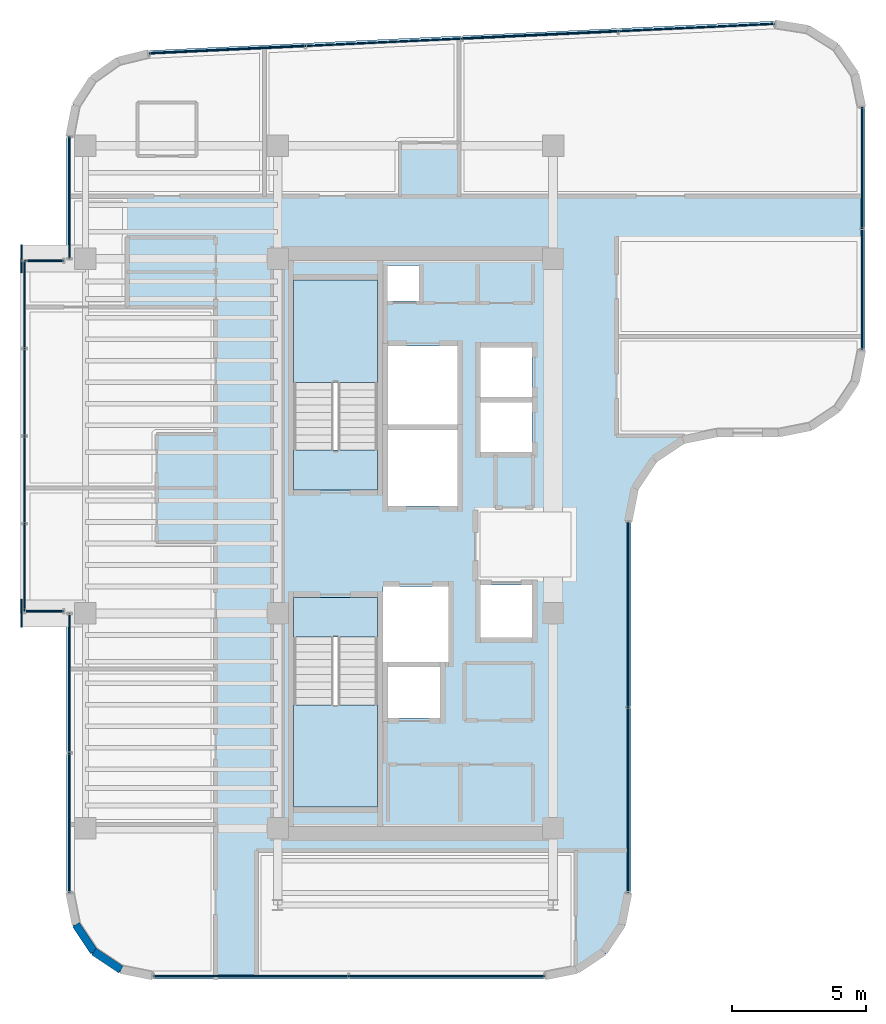
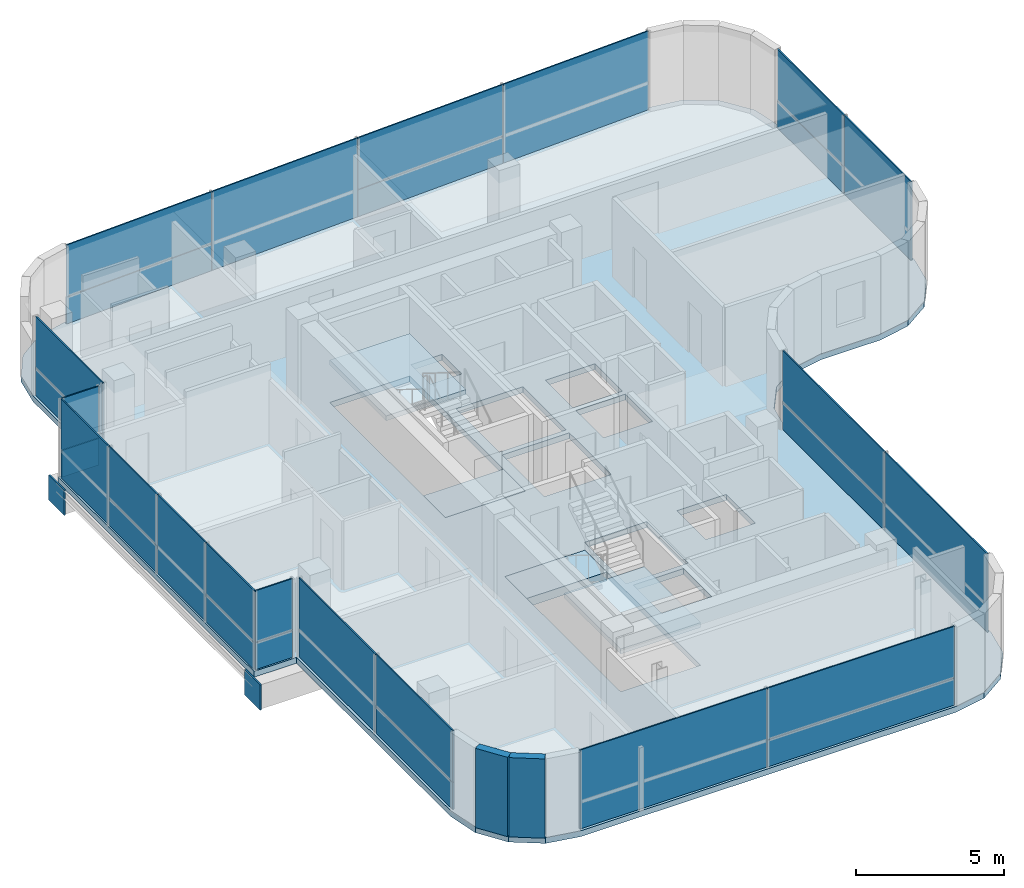
# One storey, part 13 of 20: 32 plates, 5 slabs, 2 walls, 11 elements without a shape of their own.
"""IFC4 building model written with IfcOpenShell, lengths in metres."""

from ifc_helpers import new_model, si_unit, direction, frame, frame_2d, origin, origin_2d, place, context, subcontext, project, spatial, polyline, rectangle, outline, extrude, source, transform, mapped, material, layer, layer_set, type_object, element, aggregate, save


model = new_model("IFC4")

# Units and contexts
model_context = context("Model", 3, precision=1e-05, world=origin(), true_north=direction((0.0, 1.0)))
body_context = subcontext(model_context, "Body", "Model", "MODEL_VIEW")
ifc_project = project(units=[si_unit("LENGTHUNIT", "METRE"), si_unit("AREAUNIT", "SQUARE_METRE"), si_unit("VOLUMEUNIT", "CUBIC_METRE"), si_unit("PLANEANGLEUNIT", "RADIAN"), si_unit("MASSUNIT", "GRAM", prefix="KILO")], contexts=[model_context])

# Site, building, storey
site_placement = place(None, origin())
site = spatial("IfcSite", under=ifc_project, at=site_placement, CompositionType="ELEMENT")
building_placement = place(site_placement, origin())
building = spatial("IfcBuilding", under=site, at=building_placement, Name="Valdorenza Pilgrim Sanctuary Tower", CompositionType="ELEMENT")
storey_placement = place(building_placement, frame((0.0, 0.0, 280.0)))
storey = spatial("IfcBuildingStorey", under=building, at=storey_placement, Name="L73", CompositionType="ELEMENT", Elevation=280.0)

# Slab
ifc_material_1 = material(Name="Concrete C40/50", Category="concrete")
ifc_layer_1 = layer(ifc_material_1, 0.239990234375, Name="Concrete C40/50")
ifc_layer_set_1 = layer_set([ifc_layer_1], Name="Concrete C40/50")
slab_type_1 = type_object("IfcSlabType", Name="SLAB-FLR-220", PredefinedType="FLOOR", material=ifc_layer_set_1)
slab_1_placement = place(storey_placement, frame((0.0, 0.0, -0.239990234375)))
element("IfcSlab", 1, at=slab_1_placement, inside=storey, type_object=slab_type_1, Name="L73 Structural Floor Slab 1", PredefinedType="FLOOR", context=body_context, shape_type="SweptSolid", body=[
    extrude(outline(polyline([(-30.2705078125, 16.3369140625), (-29.615478515625, 17.356201171875), (-28.628173828125, 18.05859375), (-27.45068359375, 18.34375), (-4.150634765625, 19.442138671875), (-2.880615234375, 19.243408203125), (-1.791259765625, 18.56103515625), (-1.05810546875, 17.5048828125), (-0.800048828125, 16.24560546875), (-0.800048828125, 7.199951171875), (-1.043701171875, 5.975341796875), (-1.7373046875, 4.937255859375), (-2.775390625, 4.24365234375), (-4.0, 4.0), (-6.300048828125, 4.0), (-7.524658203125, 3.75634765625), (-8.562744140625, 3.062744140625), (-9.25634765625, 2.024658203125), (-9.5, 0.800048828125), (-9.5, -13.0), (-9.74365234375, -14.224609375), (-10.437255859375, -15.2626953125), (-11.475341796875, -15.956298828125), (-12.699951171875, -16.199951171875), (-27.300048828125, -16.199951171875), (-28.524658203125, -15.956298828125), (-29.562744140625, -15.2626953125), (-30.25634765625, -14.224609375), (-30.5, -13.0), (-30.5, -2.60009765625), (-32.14990234375, -2.60009765625), (-32.14990234375, 10.60009765625), (-30.5, 10.60009765625), (-30.5, 15.147216796875), (-30.2705078125, 16.3369140625)]), holes=[polyline([(-22.050048828125, -9.800048828125), (-18.93994140625, -9.800048828125), (-18.93994140625, -3.485107421875), (-18.93994140625, -2.0), (-22.050048828125, -2.0), (-22.050048828125, -3.485107421875), (-22.050048828125, -9.800048828125)]), polyline([(-16.60009765625, -6.5), (-16.60009765625, -4.60009765625), (-18.550048828125, -4.60009765625), (-18.550048828125, -6.5), (-16.60009765625, -6.5)]), polyline([(-22.050048828125, 2.0), (-18.93994140625, 2.0), (-18.93994140625, 3.485107421875), (-18.93994140625, 9.800048828125), (-22.050048828125, 9.800048828125), (-22.050048828125, 3.485107421875), (-22.050048828125, 2.0)]), polyline([(-17.360107421875, 9.030029296875), (-17.360107421875, 10.35009765625), (-18.570068359375, 10.35009765625), (-18.570068359375, 9.030029296875), (-17.360107421875, 9.030029296875)]), polyline([(-16.300048828125, -1.60009765625), (-18.719970703125, -1.60009765625), (-18.719970703125, -4.39990234375), (-16.300048828125, -4.39990234375), (-16.300048828125, -1.60009765625)]), polyline([(-13.179931640625, -3.5), (-13.179931640625, -1.550048828125), (-15.10009765625, -1.550048828125), (-15.10009765625, -3.5), (-13.179931640625, -3.5)]), polyline([(-15.949951171875, 1.39990234375), (-15.949951171875, 4.22509765625), (-18.550048828125, 4.22509765625), (-18.550048828125, 1.39990234375), (-15.949951171875, 1.39990234375)]), polyline([(-13.179931640625, 5.25), (-15.10009765625, 5.25), (-15.10009765625, 3.39990234375), (-13.179931640625, 3.39990234375), (-13.179931640625, 5.25)]), polyline([(-15.949951171875, 4.425048828125), (-15.949951171875, 7.35009765625), (-18.550048828125, 7.35009765625), (-18.550048828125, 4.425048828125), (-15.949951171875, 4.425048828125)]), polyline([(-13.179931640625, 5.449951171875), (-13.179931640625, 7.300048828125), (-15.10009765625, 7.300048828125), (-15.10009765625, 5.449951171875), (-13.179931640625, 5.449951171875)])]), origin(), (0.0, 0.0, 1.0), 0.239990234375),
])

# Stair, slab
stair_type = type_object("IfcStairType", Name="STR-DOG-CORE", PredefinedType="HALF_TURN_STAIR", material=ifc_material_1)
stair_1_placement = place(storey_placement, origin())
stair_1 = element("IfcStair", 2, at=stair_1_placement, inside=storey, type_object=stair_type, Name="L73 ST-A1", PredefinedType="HALF_TURN_STAIR")
ifc_layer_2 = layer(ifc_material_1, 0.199951171875, Name="Concrete C40/50")
ifc_layer_set_2 = layer_set([ifc_layer_2], Name="Concrete C40/50")
slab_type_2 = type_object("IfcSlabType", Name="SLAB-STL-200", PredefinedType="LANDING", material=ifc_layer_set_2)
slab_2_placement = place(storey_placement, frame((0.0, 0.0, 1.550048828125)))
slab_2 = element("IfcSlab", 3, at=slab_2_placement, type_object=slab_type_2, Name="ST-A1 landing 1", PredefinedType="LANDING", context=body_context, shape_type="SweptSolid", body=[
    extrude(outline(polyline([(-18.93994140625, 6.0), (-18.93994140625, 9.800048828125), (-22.050048828125, 9.800048828125), (-22.050048828125, 6.0), (-18.93994140625, 6.0)])), origin(), (0.0, 0.0, 1.0), 0.199951171875),
])
aggregate(stair_1, [slab_2])

stair_2_placement = place(storey_placement, origin())
stair_2 = element("IfcStair", 4, at=stair_2_placement, inside=storey, type_object=stair_type, Name="L73 ST-A2", PredefinedType="HALF_TURN_STAIR")
slab_3_placement = place(storey_placement, frame((0.0, 0.0, 1.550048828125)))
slab_3 = element("IfcSlab", 5, at=slab_3_placement, type_object=slab_type_2, Name="ST-A2 landing 1", PredefinedType="LANDING", context=body_context, shape_type="SweptSolid", body=[
    extrude(outline(polyline([(-22.050048828125, -6.0), (-22.050048828125, -9.800048828125), (-18.93994140625, -9.800048828125), (-18.93994140625, -6.0), (-22.050048828125, -6.0)])), origin(), (0.0, 0.0, 1.0), 0.199951171875),
])
aggregate(stair_2, [slab_3])

# Slabs
ifc_material_2 = material(Name="Concrete C50/60", Category="concrete")
ifc_layer_3 = layer(ifc_material_2, 0.39990234375, Name="Concrete C50/60")
ifc_layer_set_3 = layer_set([ifc_layer_3], Name="Concrete C50/60")
slab_type_3 = type_object("IfcSlabType", Name="SLAB-TRF-400", PredefinedType="FLOOR", material=ifc_layer_set_3)
slab_4_placement = place(storey_placement, frame((0.0, 0.0, -0.360107421875)))
element("IfcSlab", 6, at=slab_4_placement, inside=storey, type_object=slab_type_3, Name="L73 ST-A1 Structural Stair Landing Bearing Slab", PredefinedType="FLOOR", context=body_context, shape_type="SweptSolid", body=[
    extrude(outline(polyline([(-22.050048828125, 2.0), (-18.93994140625, 2.0), (-18.93994140625, 3.485107421875), (-22.050048828125, 3.485107421875), (-22.050048828125, 2.0)])), origin(), (0.0, 0.0, 1.0), 0.360107421875),
])
slab_5_placement = place(storey_placement, frame((0.0, 0.0, -0.360107421875)))
element("IfcSlab", 7, at=slab_5_placement, inside=storey, type_object=slab_type_3, Name="L73 ST-A2 Structural Stair Landing Bearing Slab", PredefinedType="FLOOR", context=body_context, shape_type="SweptSolid", body=[
    extrude(outline(polyline([(-22.050048828125, -3.485107421875), (-18.93994140625, -3.485107421875), (-18.93994140625, -2.0), (-22.050048828125, -2.0), (-22.050048828125, -3.485107421875)])), origin(), (0.0, 0.0, 1.0), 0.360107421875),
])

# Plates
ifc_material_3 = material(Name="Steel ASTM A572 Grade 42", Category="steel")
ifc_layer_4 = layer(ifc_material_3, 0.06005859375, Name="Steel ASTM A572 Grade 42")
ifc_layer_set_4 = layer_set([ifc_layer_4], Name="Steel ASTM A572 Grade 42")
plate_type_1 = type_object("IfcPlateType", Name="PLT-CAP-60", PredefinedType="SHEET", material=ifc_layer_set_4)
shared_shape_1 = source(origin(), body_context, "Body", "SweptSolid", [
    extrude(rectangle(XDim=0.06005859375, YDim=1.0400390625, at=origin_2d()), origin(), (0.0, 0.0, 1.0), 1.0400390625),
])
for number, where, z_axis, x_axis, name in (
    (8, (-32.179931640625, 10.60009765625, -1.260009765625), (0.0, 0.0, 1.0), (1.0, 0.0, 0.0), "L73 BOX-WA-L73 Cantilever Tip End Cap N"),
    (9, (-32.179931640625, -2.60009765625, -1.260009765625), (0.0, 0.0, 1.0), (1.0, 0.0, 0.0), "L73 BOX-WA-L73 Cantilever Tip End Cap S"),
):
    element("IfcPlate", number, at=place(storey_placement, frame(where, z_axis=z_axis, x_axis=x_axis)), inside=storey, type_object=plate_type_1, Name=name, PredefinedType="SHEET", context=body_context, shape_type="MappedRepresentation", body=[
        mapped(shared_shape_1, transform((0.0, 0.0, 0.0), x_axis=(1.0, 0.0, 0.0), y_axis=(0.0, 1.0, 0.0), z_axis=(0.0, 0.0, 1.0), scale=1.0)),
    ])

# Curtain wall, plate
ifc_material_4 = material(Name="Curtain-wall IGU glazing", Category="glass")
curtain_wall_type = type_object("IfcCurtainWallType", Name="CW-SYS-02", PredefinedType="NOTDEFINED", material=ifc_material_4)
curtain_wall_1_placement = place(storey_placement, origin())
curtain_wall_1 = element("IfcCurtainWall", 10, at=curtain_wall_1_placement, inside=storey, type_object=curtain_wall_type, Name="L73 Curtain Wall CW-L73-BOX-WA-L73-S", PredefinedType="NOTDEFINED")
ifc_material_5 = material(Name="Honed travertine limestone", Category="masonry")
ifc_layer_5 = layer(ifc_material_5, 0.050048828125, Name="Honed travertine limestone")
ifc_layer_set_5 = layer_set([ifc_layer_5], Name="Honed travertine limestone")
plate_type_2 = type_object("IfcPlateType", Name="CW-SPN-TRV", PredefinedType="USERDEFINED", material=ifc_layer_set_5)
shared_shape_2 = source(origin(), body_context, "Body", "SweptSolid", [
    extrude(rectangle(XDim=1.43994140625, YDim=0.06005859375, at=origin_2d()), origin(), (0.0, 0.0, 1.0), 1.10009765625),
])
plate_1_placement = place(storey_placement, frame((-31.340087890625, -2.52001953125, 0.010009765625), z_axis=(0.0, 0.0, 1.0), x_axis=(-1.0, 0.0, 0.0)))
plate_1 = element("IfcPlate", 11, at=plate_1_placement, type_object=plate_type_2, Name="CW-L73-BOX-WA-L73-S Travertine Spandrel 1", ObjectType="SPANDREL", PredefinedType="USERDEFINED", context=body_context, shape_type="MappedRepresentation", body=[
    mapped(shared_shape_2, transform((0.0, 0.0, 0.0), x_axis=(1.0, 0.0, 0.0), y_axis=(0.0, 1.0, 0.0), z_axis=(0.0, 0.0, 1.0), scale=1.0)),
])

curtain_wall_2_placement = place(storey_placement, origin())
curtain_wall_2 = element("IfcCurtainWall", 12, at=curtain_wall_2_placement, inside=storey, type_object=curtain_wall_type, Name="L73 Curtain Wall CW-L73-BOX-WA-L73-N", PredefinedType="NOTDEFINED")
plate_2_placement = place(storey_placement, frame((-31.340087890625, 10.52001953125, 0.010009765625), z_axis=(0.0, 0.0, 1.0), x_axis=(1.0, 0.0, 0.0)))
plate_2 = element("IfcPlate", 13, at=plate_2_placement, type_object=plate_type_2, Name="CW-L73-BOX-WA-L73-N Travertine Spandrel 1", ObjectType="SPANDREL", PredefinedType="USERDEFINED", context=body_context, shape_type="MappedRepresentation", body=[
    mapped(shared_shape_2, transform((0.0, 0.0, 0.0), x_axis=(1.0, 0.0, 0.0), y_axis=(0.0, 1.0, 0.0), z_axis=(0.0, 0.0, 1.0), scale=1.0)),
])

# Curtain wall, plates
curtain_wall_3_placement = place(storey_placement, origin())
curtain_wall_3 = element("IfcCurtainWall", 14, at=curtain_wall_3_placement, inside=storey, type_object=curtain_wall_type, Name="L73 Curtain Wall CW-L73-BOX-WA-L73-F", PredefinedType="NOTDEFINED")
shared_shape_3 = source(origin(), body_context, "Body", "SweptSolid", [
    extrude(rectangle(XDim=3.239990234375, YDim=0.06005859375, at=origin_2d()), origin(), (0.0, 0.0, 1.0), 1.10009765625),
])
plate_3_placement = place(storey_placement, frame((-32.070068359375, -0.889892578125, 0.010009765625), z_axis=(0.0, 0.0, 1.0), x_axis=(0.0, 1.0, 0.0)))
plate_3 = element("IfcPlate", 15, at=plate_3_placement, type_object=plate_type_2, Name="CW-L73-BOX-WA-L73-F Travertine Spandrel 1", ObjectType="SPANDREL", PredefinedType="USERDEFINED", context=body_context, shape_type="MappedRepresentation", body=[
    mapped(shared_shape_3, transform((0.0, 0.0, 0.0), x_axis=(1.0, 0.0, 0.0), y_axis=(0.0, 1.0, 0.0), z_axis=(0.0, 0.0, 1.0), scale=1.0)),
])
plate_4_placement = place(storey_placement, frame((-32.070068359375, 5.6298828125, 0.010009765625), z_axis=(0.0, 0.0, 1.0), x_axis=(0.0, 1.0, 0.0)))
plate_4 = element("IfcPlate", 16, at=plate_4_placement, type_object=plate_type_2, Name="CW-L73-BOX-WA-L73-F Travertine Spandrel 3", ObjectType="SPANDREL", PredefinedType="USERDEFINED", context=body_context, shape_type="MappedRepresentation", body=[
    mapped(shared_shape_3, transform((0.0, 0.0, 0.0), x_axis=(1.0, 0.0, 0.0), y_axis=(0.0, 1.0, 0.0), z_axis=(0.0, 0.0, 1.0), scale=1.0)),
])

# Plate
ifc_material_6 = material(Name="Ceramic-fritted low-E IGU glazing", Category="glass")
ifc_layer_6 = layer(ifc_material_6, 0.035888671875, Name="Ceramic-fritted low-E IGU glazing")
ifc_layer_set_6 = layer_set([ifc_layer_6], Name="Ceramic-fritted low-E IGU glazing")
plate_type_3 = type_object("IfcPlateType", Name="CW-GLZ-IGU", PredefinedType="USERDEFINED", material=ifc_layer_set_6)
shared_shape_4 = source(origin(), body_context, "Body", "SweptSolid", [
    extrude(rectangle(XDim=1.43994140625, YDim=0.050048828125, at=origin_2d()), origin(), (0.0, 0.0, 1.0), 2.1201171875),
])
plate_5_placement = place(storey_placement, frame((-31.340087890625, -2.52001953125, 1.1298828125), z_axis=(0.0, 0.0, 1.0), x_axis=(-1.0, 0.0, 0.0)))
plate_5 = element("IfcPlate", 17, at=plate_5_placement, type_object=plate_type_3, Name="CW-L73-BOX-WA-L73-S Facade Panel 1", ObjectType="GLAZING", PredefinedType="USERDEFINED", context=body_context, shape_type="MappedRepresentation", body=[
    mapped(shared_shape_4, transform((0.0, 0.0, 0.0), x_axis=(1.0, 0.0, 0.0), y_axis=(0.0, 1.0, 0.0), z_axis=(0.0, 0.0, 1.0), scale=1.0)),
])

aggregate(curtain_wall_1, [plate_1, plate_5])

plate_6_placement = place(storey_placement, frame((-31.340087890625, 10.52001953125, 1.1298828125), z_axis=(0.0, 0.0, 1.0), x_axis=(1.0, 0.0, 0.0)))
plate_6 = element("IfcPlate", 18, at=plate_6_placement, type_object=plate_type_3, Name="CW-L73-BOX-WA-L73-N Facade Panel 1", ObjectType="GLAZING", PredefinedType="USERDEFINED", context=body_context, shape_type="MappedRepresentation", body=[
    mapped(shared_shape_4, transform((0.0, 0.0, 0.0), x_axis=(1.0, 0.0, 0.0), y_axis=(0.0, 1.0, 0.0), z_axis=(0.0, 0.0, 1.0), scale=1.0)),
])

aggregate(curtain_wall_2, [plate_2, plate_6])

shared_shape_5 = source(origin(), body_context, "Body", "SweptSolid", [
    extrude(rectangle(XDim=3.239990234375, YDim=0.050048828125, at=origin_2d()), origin(), (0.0, 0.0, 1.0), 2.1201171875),
])
plate_7_placement = place(storey_placement, frame((-32.070068359375, -0.889892578125, 1.1298828125), z_axis=(0.0, 0.0, 1.0), x_axis=(0.0, 1.0, 0.0)))
plate_7 = element("IfcPlate", 19, at=plate_7_placement, type_object=plate_type_3, Name="CW-L73-BOX-WA-L73-F Facade Panel 1", ObjectType="GLAZING", PredefinedType="USERDEFINED", context=body_context, shape_type="MappedRepresentation", body=[
    mapped(shared_shape_5, transform((0.0, 0.0, 0.0), x_axis=(1.0, 0.0, 0.0), y_axis=(0.0, 1.0, 0.0), z_axis=(0.0, 0.0, 1.0), scale=1.0)),
])

plate_8_placement = place(storey_placement, frame((-32.070068359375, 5.6298828125, 1.1298828125), z_axis=(0.0, 0.0, 1.0), x_axis=(0.0, 1.0, 0.0)))
plate_8 = element("IfcPlate", 20, at=plate_8_placement, type_object=plate_type_3, Name="CW-L73-BOX-WA-L73-F Facade Panel 3", ObjectType="GLAZING", PredefinedType="USERDEFINED", context=body_context, shape_type="MappedRepresentation", body=[
    mapped(shared_shape_5, transform((0.0, 0.0, 0.0), x_axis=(1.0, 0.0, 0.0), y_axis=(0.0, 1.0, 0.0), z_axis=(0.0, 0.0, 1.0), scale=1.0)),
])

shared_shape_6 = source(origin(), body_context, "Body", "SweptSolid", [
    extrude(rectangle(XDim=3.239990234375, YDim=0.050048828125, at=origin_2d()), origin(), (0.0, 0.0, 1.0), 3.239990234375),
])
plate_9_placement = place(storey_placement, frame((-32.070068359375, 2.3701171875, 0.009765625), z_axis=(0.0, 0.0, 1.0), x_axis=(0.0, 1.0, 0.0)))
plate_9 = element("IfcPlate", 21, at=plate_9_placement, type_object=plate_type_3, Name="CW-L73-BOX-WA-L73-F Full-Height Facade Panel 2", ObjectType="GLAZING", PredefinedType="USERDEFINED", context=body_context, shape_type="MappedRepresentation", body=[
    mapped(shared_shape_6, transform((0.0, 0.0, 0.0), x_axis=(1.0, 0.0, 0.0), y_axis=(0.0, 1.0, 0.0), z_axis=(0.0, 0.0, 1.0), scale=1.0)),
])

plate_10_placement = place(storey_placement, frame((-32.070068359375, 8.889892578125, 0.009765625), z_axis=(0.0, 0.0, 1.0), x_axis=(0.0, 1.0, 0.0)))
plate_10 = element("IfcPlate", 22, at=plate_10_placement, type_object=plate_type_3, Name="CW-L73-BOX-WA-L73-F Full-Height Facade Panel 4", ObjectType="GLAZING", PredefinedType="USERDEFINED", context=body_context, shape_type="MappedRepresentation", body=[
    mapped(shared_shape_6, transform((0.0, 0.0, 0.0), x_axis=(1.0, 0.0, 0.0), y_axis=(0.0, 1.0, 0.0), z_axis=(0.0, 0.0, 1.0), scale=1.0)),
])

aggregate(curtain_wall_3, [plate_3, plate_7, plate_9, plate_4, plate_8, plate_10])

# Curtain wall, plates
curtain_wall_4_placement = place(storey_placement, origin())
curtain_wall_4 = element("IfcCurtainWall", 23, at=curtain_wall_4_placement, inside=storey, type_object=curtain_wall_type, Name="L73 Curtain Wall CW-L73-1-1S1", PredefinedType="NOTDEFINED")
shared_shape_7 = source(origin(), body_context, "Body", "SweptSolid", [
    extrude(rectangle(XDim=5.174560546875, YDim=0.06005859375, at=origin_2d()), origin(), (0.0, 0.0, 1.0), 1.10009765625),
])
plate_11_placement = place(storey_placement, frame((-30.389892578125, -10.391845703125, 0.010009765625), z_axis=(0.0, 0.0, 1.0), x_axis=(0.0, 1.0, 0.0)))
plate_11 = element("IfcPlate", 24, at=plate_11_placement, type_object=plate_type_2, Name="CW-L73-1-1S1 Travertine Spandrel 1", ObjectType="SPANDREL", PredefinedType="USERDEFINED", context=body_context, shape_type="MappedRepresentation", body=[
    mapped(shared_shape_7, transform((0.0, 0.0, 0.0), x_axis=(1.0, 0.0, 0.0), y_axis=(0.0, 1.0, 0.0), z_axis=(0.0, 0.0, 1.0), scale=1.0)),
])
shared_shape_8 = source(origin(), body_context, "Body", "SweptSolid", [
    extrude(rectangle(XDim=5.174560546875, YDim=0.050048828125, at=origin_2d()), origin(), (0.0, 0.0, 1.0), 2.1201171875),
])
plate_12_placement = place(storey_placement, frame((-30.389892578125, -10.391845703125, 1.1298828125), z_axis=(0.0, 0.0, 1.0), x_axis=(0.0, 1.0, 0.0)))
plate_12 = element("IfcPlate", 25, at=plate_12_placement, type_object=plate_type_3, Name="CW-L73-1-1S1 Facade Panel 1", ObjectType="GLAZING", PredefinedType="USERDEFINED", context=body_context, shape_type="MappedRepresentation", body=[
    mapped(shared_shape_8, transform((0.0, 0.0, 0.0), x_axis=(1.0, 0.0, 0.0), y_axis=(0.0, 1.0, 0.0), z_axis=(0.0, 0.0, 1.0), scale=1.0)),
])
shared_shape_9 = source(origin(), body_context, "Body", "SweptSolid", [
    extrude(rectangle(XDim=5.174560546875, YDim=0.050048828125, at=origin_2d()), origin(), (0.0, 0.0, 1.0), 3.239990234375),
])
plate_13_placement = place(storey_placement, frame((-30.389892578125, -5.197265625, 0.009765625), z_axis=(0.0, 0.0, 1.0), x_axis=(0.0, 1.0, 0.0)))
plate_13 = element("IfcPlate", 26, at=plate_13_placement, type_object=plate_type_3, Name="CW-L73-1-1S1 Full-Height Facade Panel 2", ObjectType="GLAZING", PredefinedType="USERDEFINED", context=body_context, shape_type="MappedRepresentation", body=[
    mapped(shared_shape_9, transform((0.0, 0.0, 0.0), x_axis=(1.0, 0.0, 0.0), y_axis=(0.0, 1.0, 0.0), z_axis=(0.0, 0.0, 1.0), scale=1.0)),
])
aggregate(curtain_wall_4, [plate_11, plate_12, plate_13])

curtain_wall_5_placement = place(storey_placement, origin())
curtain_wall_5 = element("IfcCurtainWall", 27, at=curtain_wall_5_placement, inside=storey, type_object=curtain_wall_type, Name="L73 Curtain Wall CW-L73-1-1S2", PredefinedType="NOTDEFINED")
shared_shape_10 = source(origin(), body_context, "Body", "SweptSolid", [
    extrude(rectangle(XDim=4.516845703125, YDim=0.06005859375, at=origin_2d()), origin(), (0.0, 0.0, 1.0), 1.10009765625),
])
plate_14_placement = place(storey_placement, frame((-30.389892578125, 12.868408203125, 0.010009765625), z_axis=(0.0, 0.0, 1.0), x_axis=(0.0, 1.0, 0.0)))
plate_14 = element("IfcPlate", 28, at=plate_14_placement, type_object=plate_type_2, Name="CW-L73-1-1S2 Travertine Spandrel 1", ObjectType="SPANDREL", PredefinedType="USERDEFINED", context=body_context, shape_type="MappedRepresentation", body=[
    mapped(shared_shape_10, transform((0.0, 0.0, 0.0), x_axis=(1.0, 0.0, 0.0), y_axis=(0.0, 1.0, 0.0), z_axis=(0.0, 0.0, 1.0), scale=1.0)),
])
shared_shape_11 = source(origin(), body_context, "Body", "SweptSolid", [
    extrude(rectangle(XDim=4.516845703125, YDim=0.050048828125, at=origin_2d()), origin(), (0.0, 0.0, 1.0), 2.1201171875),
])
plate_15_placement = place(storey_placement, frame((-30.389892578125, 12.868408203125, 1.1298828125), z_axis=(0.0, 0.0, 1.0), x_axis=(0.0, 1.0, 0.0)))
plate_15 = element("IfcPlate", 29, at=plate_15_placement, type_object=plate_type_3, Name="CW-L73-1-1S2 Facade Panel 1", ObjectType="GLAZING", PredefinedType="USERDEFINED", context=body_context, shape_type="MappedRepresentation", body=[
    mapped(shared_shape_11, transform((0.0, 0.0, 0.0), x_axis=(1.0, 0.0, 0.0), y_axis=(0.0, 1.0, 0.0), z_axis=(0.0, 0.0, 1.0), scale=1.0)),
])
aggregate(curtain_wall_5, [plate_14, plate_15])

curtain_wall_6_placement = place(storey_placement, origin())
curtain_wall_6 = element("IfcCurtainWall", 30, at=curtain_wall_6_placement, inside=storey, type_object=curtain_wall_type, Name="L73 Curtain Wall CW-L73-1-6", PredefinedType="NOTDEFINED")
shared_shape_12 = source(origin(), body_context, "Body", "SweptSolid", [
    extrude(rectangle(XDim=5.805908203125, YDim=0.06005859375, at=origin_2d()), origin(), (0.0, 0.0, 1.0), 1.10009765625),
])
plate_16_placement = place(storey_placement, frame((-24.525146484375, 18.37158203125, 0.010009765625), z_axis=(0.0, 0.0, 1.0), x_axis=(0.998890696972, 0.047089016785, 0.0)))
plate_16 = element("IfcPlate", 31, at=plate_16_placement, type_object=plate_type_2, Name="CW-L73-1-6 Travertine Spandrel 1", ObjectType="SPANDREL", PredefinedType="USERDEFINED", context=body_context, shape_type="MappedRepresentation", body=[
    mapped(shared_shape_12, transform((0.0, 0.0, 0.0), x_axis=(1.0, 0.0, 0.0), y_axis=(0.0, 1.0, 0.0), z_axis=(0.0, 0.0, 1.0), scale=1.0)),
])
plate_17_placement = place(storey_placement, frame((-12.885986328125, 18.920166015625, 0.010009765625), z_axis=(0.0, 0.0, 1.0), x_axis=(0.998890696972, 0.047089016785, 0.0)))
plate_17 = element("IfcPlate", 32, at=plate_17_placement, type_object=plate_type_2, Name="CW-L73-1-6 Travertine Spandrel 3", ObjectType="SPANDREL", PredefinedType="USERDEFINED", context=body_context, shape_type="MappedRepresentation", body=[
    mapped(shared_shape_12, transform((0.0, 0.0, 0.0), x_axis=(1.0, 0.0, 0.0), y_axis=(0.0, 1.0, 0.0), z_axis=(0.0, 0.0, 1.0), scale=1.0)),
])
shared_shape_13 = source(origin(), body_context, "Body", "SweptSolid", [
    extrude(rectangle(XDim=5.805908203125, YDim=0.050048828125, at=origin_2d()), origin(), (0.0, 0.0, 1.0), 2.1201171875),
])
plate_18_placement = place(storey_placement, frame((-24.525146484375, 18.37158203125, 1.1298828125), z_axis=(0.0, 0.0, 1.0), x_axis=(0.998890696972, 0.047089016785, 0.0)))
plate_18 = element("IfcPlate", 33, at=plate_18_placement, type_object=plate_type_3, Name="CW-L73-1-6 Facade Panel 1", ObjectType="GLAZING", PredefinedType="USERDEFINED", context=body_context, shape_type="MappedRepresentation", body=[
    mapped(shared_shape_13, transform((0.0, 0.0, 0.0), x_axis=(1.0, 0.0, 0.0), y_axis=(0.0, 1.0, 0.0), z_axis=(0.0, 0.0, 1.0), scale=1.0)),
])
plate_19_placement = place(storey_placement, frame((-12.885986328125, 18.920166015625, 1.1298828125), z_axis=(0.0, 0.0, 1.0), x_axis=(0.998890696972, 0.047089016785, 0.0)))
plate_19 = element("IfcPlate", 34, at=plate_19_placement, type_object=plate_type_3, Name="CW-L73-1-6 Facade Panel 3", ObjectType="GLAZING", PredefinedType="USERDEFINED", context=body_context, shape_type="MappedRepresentation", body=[
    mapped(shared_shape_13, transform((0.0, 0.0, 0.0), x_axis=(1.0, 0.0, 0.0), y_axis=(0.0, 1.0, 0.0), z_axis=(0.0, 0.0, 1.0), scale=1.0)),
])
shared_shape_14 = source(origin(), body_context, "Body", "SweptSolid", [
    extrude(rectangle(XDim=5.805908203125, YDim=0.050048828125, at=origin_2d()), origin(), (0.0, 0.0, 1.0), 3.239990234375),
])
plate_20_placement = place(storey_placement, frame((-18.70556640625, 18.645751953125, 0.009765625), z_axis=(0.0, 0.0, 1.0), x_axis=(0.998890696972, 0.047089016785, 0.0)))
plate_20 = element("IfcPlate", 35, at=plate_20_placement, type_object=plate_type_3, Name="CW-L73-1-6 Full-Height Facade Panel 2", ObjectType="GLAZING", PredefinedType="USERDEFINED", context=body_context, shape_type="MappedRepresentation", body=[
    mapped(shared_shape_14, transform((0.0, 0.0, 0.0), x_axis=(1.0, 0.0, 0.0), y_axis=(0.0, 1.0, 0.0), z_axis=(0.0, 0.0, 1.0), scale=1.0)),
])
plate_21_placement = place(storey_placement, frame((-7.06640625, 19.194580078125, 0.009765625), z_axis=(0.0, 0.0, 1.0), x_axis=(0.998890696972, 0.047089016785, 0.0)))
plate_21 = element("IfcPlate", 36, at=plate_21_placement, type_object=plate_type_3, Name="CW-L73-1-6 Full-Height Facade Panel 4", ObjectType="GLAZING", PredefinedType="USERDEFINED", context=body_context, shape_type="MappedRepresentation", body=[
    mapped(shared_shape_14, transform((0.0, 0.0, 0.0), x_axis=(1.0, 0.0, 0.0), y_axis=(0.0, 1.0, 0.0), z_axis=(0.0, 0.0, 1.0), scale=1.0)),
])
aggregate(curtain_wall_6, [plate_16, plate_18, plate_20, plate_17, plate_19, plate_21])

curtain_wall_7_placement = place(storey_placement, origin())
curtain_wall_7 = element("IfcCurtainWall", 37, at=curtain_wall_7_placement, inside=storey, type_object=curtain_wall_type, Name="L73 Curtain Wall CW-L73-1-11", PredefinedType="NOTDEFINED")
shared_shape_15 = source(origin(), body_context, "Body", "SweptSolid", [
    extrude(rectangle(XDim=4.49169921875, YDim=0.06005859375, at=origin_2d()), origin(), (0.0, 0.0, 1.0), 1.10009765625),
])
plate_22_placement = place(storey_placement, frame((-0.909912109375, 13.978515625, 0.010009765625), z_axis=(0.0, 0.0, 1.0), x_axis=(0.0, -1.0, 0.0)))
plate_22 = element("IfcPlate", 38, at=plate_22_placement, type_object=plate_type_2, Name="CW-L73-1-11 Travertine Spandrel 1", ObjectType="SPANDREL", PredefinedType="USERDEFINED", context=body_context, shape_type="MappedRepresentation", body=[
    mapped(shared_shape_15, transform((0.0, 0.0, 0.0), x_axis=(1.0, 0.0, 0.0), y_axis=(0.0, 1.0, 0.0), z_axis=(0.0, 0.0, 1.0), scale=1.0)),
])
shared_shape_16 = source(origin(), body_context, "Body", "SweptSolid", [
    extrude(rectangle(XDim=4.49169921875, YDim=0.050048828125, at=origin_2d()), origin(), (0.0, 0.0, 1.0), 2.1201171875),
])
plate_23_placement = place(storey_placement, frame((-0.909912109375, 13.978515625, 1.1298828125), z_axis=(0.0, 0.0, 1.0), x_axis=(0.0, -1.0, 0.0)))
plate_23 = element("IfcPlate", 39, at=plate_23_placement, type_object=plate_type_3, Name="CW-L73-1-11 Facade Panel 1", ObjectType="GLAZING", PredefinedType="USERDEFINED", context=body_context, shape_type="MappedRepresentation", body=[
    mapped(shared_shape_16, transform((0.0, 0.0, 0.0), x_axis=(1.0, 0.0, 0.0), y_axis=(0.0, 1.0, 0.0), z_axis=(0.0, 0.0, 1.0), scale=1.0)),
])
shared_shape_17 = source(origin(), body_context, "Body", "SweptSolid", [
    extrude(rectangle(XDim=4.49169921875, YDim=0.050048828125, at=origin_2d()), origin(), (0.0, 0.0, 1.0), 3.239990234375),
])
plate_24_placement = place(storey_placement, frame((-0.909912109375, 9.466796875, 0.009765625), z_axis=(0.0, 0.0, 1.0), x_axis=(0.0, -1.0, 0.0)))
plate_24 = element("IfcPlate", 40, at=plate_24_placement, type_object=plate_type_3, Name="CW-L73-1-11 Full-Height Facade Panel 2", ObjectType="GLAZING", PredefinedType="USERDEFINED", context=body_context, shape_type="MappedRepresentation", body=[
    mapped(shared_shape_17, transform((0.0, 0.0, 0.0), x_axis=(1.0, 0.0, 0.0), y_axis=(0.0, 1.0, 0.0), z_axis=(0.0, 0.0, 1.0), scale=1.0)),
])
aggregate(curtain_wall_7, [plate_22, plate_23, plate_24])

curtain_wall_8_placement = place(storey_placement, origin())
curtain_wall_8 = element("IfcCurtainWall", 41, at=curtain_wall_8_placement, inside=storey, type_object=curtain_wall_type, Name="L73 Curtain Wall CW-L73-1-21", PredefinedType="NOTDEFINED")
shared_shape_18 = source(origin(), body_context, "Body", "SweptSolid", [
    extrude(rectangle(XDim=6.8798828125, YDim=0.06005859375, at=origin_2d()), origin(), (0.0, 0.0, 1.0), 1.10009765625),
])
plate_25_placement = place(storey_placement, frame((-9.610107421875, -2.63916015625, 0.010009765625), z_axis=(0.0, 0.0, 1.0), x_axis=(0.0, -1.0, 0.0)))
plate_25 = element("IfcPlate", 42, at=plate_25_placement, type_object=plate_type_2, Name="CW-L73-1-21 Travertine Spandrel 1", ObjectType="SPANDREL", PredefinedType="USERDEFINED", context=body_context, shape_type="MappedRepresentation", body=[
    mapped(shared_shape_18, transform((0.0, 0.0, 0.0), x_axis=(1.0, 0.0, 0.0), y_axis=(0.0, 1.0, 0.0), z_axis=(0.0, 0.0, 1.0), scale=1.0)),
])
shared_shape_19 = source(origin(), body_context, "Body", "SweptSolid", [
    extrude(rectangle(XDim=6.8798828125, YDim=0.050048828125, at=origin_2d()), origin(), (0.0, 0.0, 1.0), 2.1201171875),
])
plate_26_placement = place(storey_placement, frame((-9.610107421875, -2.63916015625, 1.1298828125), z_axis=(0.0, 0.0, 1.0), x_axis=(0.0, -1.0, 0.0)))
plate_26 = element("IfcPlate", 43, at=plate_26_placement, type_object=plate_type_3, Name="CW-L73-1-21 Facade Panel 1", ObjectType="GLAZING", PredefinedType="USERDEFINED", context=body_context, shape_type="MappedRepresentation", body=[
    mapped(shared_shape_19, transform((0.0, 0.0, 0.0), x_axis=(1.0, 0.0, 0.0), y_axis=(0.0, 1.0, 0.0), z_axis=(0.0, 0.0, 1.0), scale=1.0)),
])
shared_shape_20 = source(origin(), body_context, "Body", "SweptSolid", [
    extrude(rectangle(XDim=6.8798828125, YDim=0.050048828125, at=origin_2d()), origin(), (0.0, 0.0, 1.0), 3.239990234375),
])
plate_27_placement = place(storey_placement, frame((-9.610107421875, -9.539306640625, 0.009765625), z_axis=(0.0, 0.0, 1.0), x_axis=(0.0, -1.0, 0.0)))
plate_27 = element("IfcPlate", 44, at=plate_27_placement, type_object=plate_type_3, Name="CW-L73-1-21 Full-Height Facade Panel 2", ObjectType="GLAZING", PredefinedType="USERDEFINED", context=body_context, shape_type="MappedRepresentation", body=[
    mapped(shared_shape_20, transform((0.0, 0.0, 0.0), x_axis=(1.0, 0.0, 0.0), y_axis=(0.0, 1.0, 0.0), z_axis=(0.0, 0.0, 1.0), scale=1.0)),
])
aggregate(curtain_wall_8, [plate_25, plate_26, plate_27])

curtain_wall_9_placement = place(storey_placement, origin())
curtain_wall_9 = element("IfcCurtainWall", 45, at=curtain_wall_9_placement, inside=storey, type_object=curtain_wall_type, Name="L73 Curtain Wall CW-L73-1-26", PredefinedType="NOTDEFINED")
shared_shape_21 = source(origin(), body_context, "Body", "SweptSolid", [
    extrude(rectangle(XDim=7.269287109375, YDim=0.06005859375, at=origin_2d()), origin(), (0.0, 0.0, 1.0), 1.10009765625),
])
plate_28_placement = place(storey_placement, frame((-16.35546875, -16.090087890625, 0.010009765625), z_axis=(0.0, 0.0, 1.0), x_axis=(-1.0, 0.0, 0.0)))
plate_28 = element("IfcPlate", 46, at=plate_28_placement, type_object=plate_type_2, Name="CW-L73-1-26 Travertine Spandrel 1", ObjectType="SPANDREL", PredefinedType="USERDEFINED", context=body_context, shape_type="MappedRepresentation", body=[
    mapped(shared_shape_21, transform((0.0, 0.0, 0.0), x_axis=(1.0, 0.0, 0.0), y_axis=(0.0, 1.0, 0.0), z_axis=(0.0, 0.0, 1.0), scale=1.0)),
])
shared_shape_22 = source(origin(), body_context, "Body", "SweptSolid", [
    extrude(rectangle(XDim=7.269287109375, YDim=0.050048828125, at=origin_2d()), origin(), (0.0, 0.0, 1.0), 2.1201171875),
])
plate_29_placement = place(storey_placement, frame((-16.35546875, -16.090087890625, 1.1298828125), z_axis=(0.0, 0.0, 1.0), x_axis=(-1.0, 0.0, 0.0)))
plate_29 = element("IfcPlate", 47, at=plate_29_placement, type_object=plate_type_3, Name="CW-L73-1-26 Facade Panel 1", ObjectType="GLAZING", PredefinedType="USERDEFINED", context=body_context, shape_type="MappedRepresentation", body=[
    mapped(shared_shape_22, transform((0.0, 0.0, 0.0), x_axis=(1.0, 0.0, 0.0), y_axis=(0.0, 1.0, 0.0), z_axis=(0.0, 0.0, 1.0), scale=1.0)),
])
shared_shape_23 = source(origin(), body_context, "Body", "SweptSolid", [
    extrude(rectangle(XDim=7.269287109375, YDim=0.050048828125, at=origin_2d()), origin(), (0.0, 0.0, 1.0), 3.239990234375),
])
plate_30_placement = place(storey_placement, frame((-23.64453125, -16.090087890625, 0.009765625), z_axis=(0.0, 0.0, 1.0), x_axis=(-1.0, 0.0, 0.0)))
plate_30 = element("IfcPlate", 48, at=plate_30_placement, type_object=plate_type_3, Name="CW-L73-1-26 Full-Height Facade Panel 2", ObjectType="GLAZING", PredefinedType="USERDEFINED", context=body_context, shape_type="MappedRepresentation", body=[
    mapped(shared_shape_23, transform((0.0, 0.0, 0.0), x_axis=(1.0, 0.0, 0.0), y_axis=(0.0, 1.0, 0.0), z_axis=(0.0, 0.0, 1.0), scale=1.0)),
])
aggregate(curtain_wall_9, [plate_28, plate_29, plate_30])

# Walls
ifc_layer_7 = layer(ifc_material_5, 0.300048828125, Name="Honed travertine limestone")
ifc_layer_set_7 = layer_set([ifc_layer_7], Name="Honed travertine limestone")
wall_type = type_object("IfcWallType", Name="WAL-EXT-300", PredefinedType="SOLIDWALL", material=ifc_layer_set_7)
for number, where, z_axis, x_axis, name in (
    (49, (-28.481689453125, -15.852783203125, 0.0), (0.0, 0.0, 1.0), (-0.831426265255, 0.555635100982, 0.0), "L73 Rounded Wind-Corner Stone Pier 28"),
    (50, (-29.4833984375, -15.183349609375, 0.0), (0.0, 0.0, 1.0), (-0.555635100982, 0.831426265255, 0.0), "L73 Rounded Wind-Corner Stone Pier 29"),
):
    element("IfcWall", number, at=place(storey_placement, frame(where, z_axis=z_axis, x_axis=x_axis)), inside=storey, type_object=wall_type, Name=name, PredefinedType="SOLIDWALL", context=body_context, shape_type="SweptSolid", body=[
        extrude(rectangle(XDim=1.204833984375, YDim=0.300048828125, at=frame_2d((0.6025390625, 0.0))), origin(), (0.0, 0.0, 1.0), 3.260009765625),
    ])

save(model, "model.ifc")
